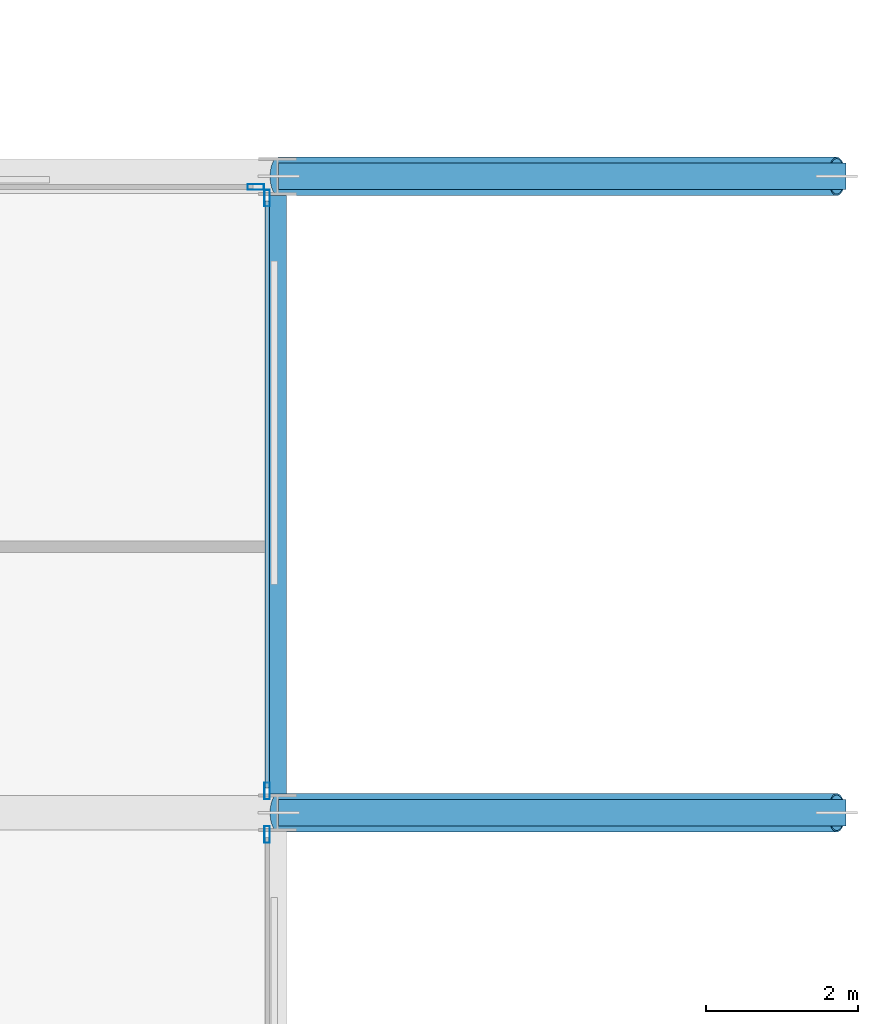
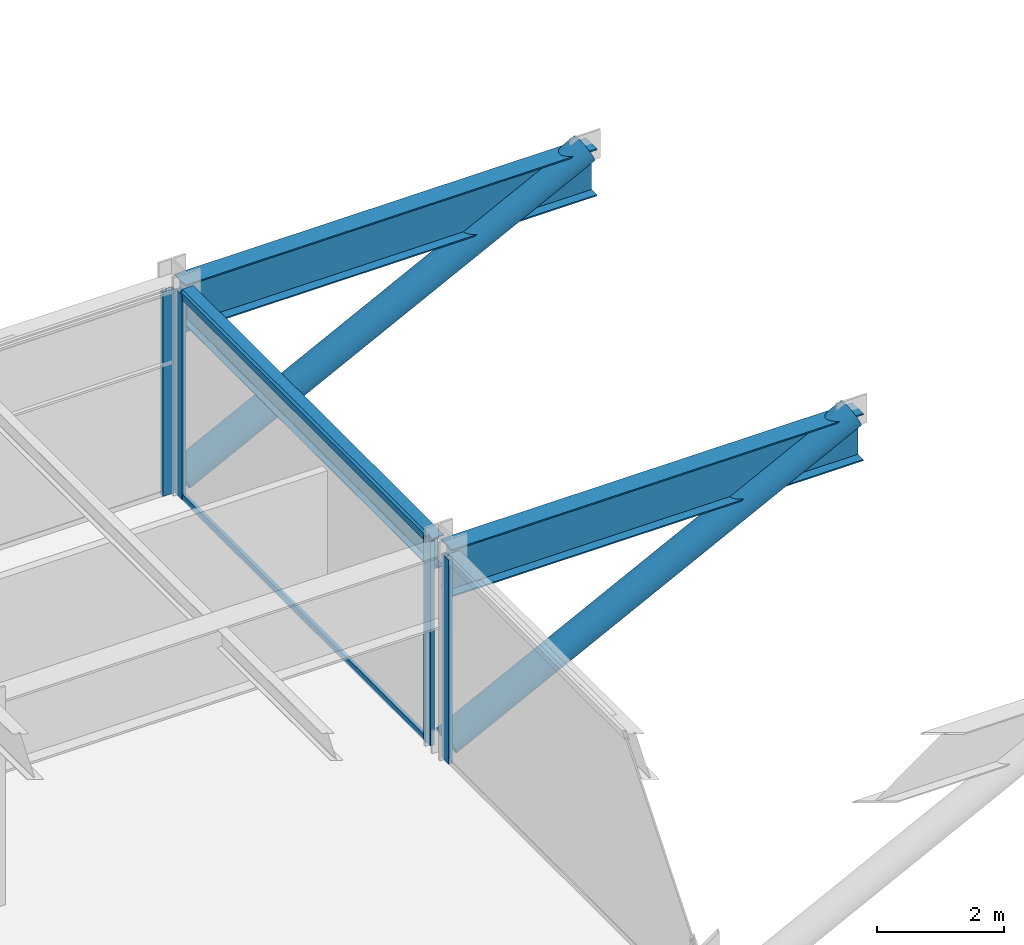
# One storey, part 13 of 25: 8 members, 3 beams, 3 elements without a shape of their own.
"""IFC4 building model written with IfcOpenShell, lengths in metres."""

import ifcopenshell
import ifcopenshell.guid

model = None  # the IFC model being written
_history = None  # IfcOwnerHistory: only IFC2X3 demands one
_inside = {}  # id of a spatial element -> (the spatial element, [elements in it])
_under = {}  # id of a project, library or spatial element -> (it, [spatial elements below it])
_declared = {}  # id of a project -> (the project, [libraries it declares])
_typed = {}  # id of a type object -> (the type object, [elements of that type])
_made_of = {}  # id of a material, layer set ... -> (it, [elements and type objects made of it])


def new_model(schema):
    """Start an empty IFC model of exactly this schema.

    Asked for "IFC4X3", IfcOpenShell would pick the latest addendum, in which some entities
    have other attributes; the version numbers below select the first issue.
    IFC2X3 requires an IfcOwnerHistory on every rooted entity: one is made here for all.
    """
    global model, _history
    if schema == "IFC4X3":
        model = ifcopenshell.file(schema_version=(4, 3, 0, 0))
    else:
        model = ifcopenshell.file(schema=schema)
    _inside.clear()
    _under.clear()
    _declared.clear()
    _typed.clear()
    _made_of.clear()
    _history = None
    if model.schema == "IFC2X3":
        org = make("IfcOrganization", Name="unknown")
        user = make(
            "IfcPersonAndOrganization",
            ThePerson=make("IfcPerson", FamilyName="unknown"),
            TheOrganization=org,
        )
        app = make(
            "IfcApplication",
            ApplicationDeveloper=org,
            Version="unknown",
            ApplicationFullName="unknown",
            ApplicationIdentifier="unknown",
        )
        _history = make(
            "IfcOwnerHistory",
            OwningUser=user,
            OwningApplication=app,
            ChangeAction="ADDED",
            CreationDate=0,
        )
    return model


def make(cls, **values):
    """One entity of the class cls with the attributes given. An attribute that is None is left unset."""
    return model.create_entity(
        cls, **{name: value for name, value in values.items() if value is not None}
    )


def rooted(cls, **values):
    """An entity with a GlobalId (a new one), such as an element, a storey or a relation."""
    return make(cls, GlobalId=ifcopenshell.guid.new(), OwnerHistory=_history, **values)


def si_unit(unit_type, name, prefix=None):
    """IfcSIUnit, for example si_unit("LENGTHUNIT", "METRE", prefix="MILLI")."""
    return make("IfcSIUnit", UnitType=unit_type, Prefix=prefix, Name=name)


def assignment(units):
    """IfcUnitAssignment: the units of a project."""
    return None if units is None else make("IfcUnitAssignment", Units=units)


def point(xyz):
    """IfcCartesianPoint."""
    return None if xyz is None else make("IfcCartesianPoint", Coordinates=xyz)


def direction(xyz):
    """IfcDirection."""
    return None if xyz is None else make("IfcDirection", DirectionRatios=xyz)


def frame(location, z_axis=None, x_axis=None):
    """IfcAxis2Placement3D, a coordinate frame: its origin and axes. An axis left out is left unset."""
    return make(
        "IfcAxis2Placement3D",
        Location=point(location),
        Axis=direction(z_axis),
        RefDirection=direction(x_axis),
    )


def frame_2d(location, x_axis=None):
    """IfcAxis2Placement2D, a coordinate frame in the plane: its origin and x axis."""
    return make(
        "IfcAxis2Placement2D", Location=point(location), RefDirection=direction(x_axis)
    )


def origin():
    """The frame at (0, 0, 0) with its axes left unset."""
    return frame((0.0, 0.0, 0.0))


def origin_2d():
    """The frame at (0, 0) in the plane with its x axis left unset."""
    return frame_2d((0.0, 0.0))


def place(relative_to, where):
    """IfcLocalPlacement: puts the frame where relative to a parent placement (None: the world)."""
    return make(
        "IfcLocalPlacement", PlacementRelTo=relative_to, RelativePlacement=where
    )


def context(
    kind, dimensions, precision=None, world=None, true_north=None, identifier=None
):
    """IfcGeometricRepresentationContext, for example the 3D "Model" context."""
    return make(
        "IfcGeometricRepresentationContext",
        ContextIdentifier=identifier,
        ContextType=kind,
        CoordinateSpaceDimension=dimensions,
        Precision=precision,
        WorldCoordinateSystem=world,
        TrueNorth=true_north,
    )


def subcontext(parent, identifier, kind, view, scale=None):
    """IfcGeometricRepresentationSubContext, for example "Body" below "Model"."""
    return make(
        "IfcGeometricRepresentationSubContext",
        ContextIdentifier=identifier,
        ContextType=kind,
        ParentContext=parent,
        TargetScale=scale,
        TargetView=view,
    )


def project(units=None, contexts=None):
    """IfcProject with its units and contexts."""
    return rooted(
        "IfcProject",
        Name="project",
        RepresentationContexts=contexts,
        UnitsInContext=assignment(units),
    )


def spatial(cls, under=None, at=None, **own):
    """A site, building, storey or space (cls), placed at a placement, below another one or the project."""
    s = rooted(cls, ObjectPlacement=at, **own)
    if under is not None:
        _under.setdefault(under.id(), (under, []))[1].append(s)
    return s


def profile(cls, at=None, kind="AREA", **sizes):
    """A parametric profile (cls). Its sizes go by their IFC names, for example OverallWidth=200.0."""
    return make(cls, ProfileType=kind, Position=at, **sizes)


def hollow_rectangle(**sizes):
    """IfcRectangleHollowProfileDef."""
    return profile("IfcRectangleHollowProfileDef", **sizes)


def hollow_circle(**sizes):
    """IfcCircleHollowProfileDef."""
    return profile("IfcCircleHollowProfileDef", **sizes)


def i_section(**sizes):
    """IfcIShapeProfileDef."""
    return profile("IfcIShapeProfileDef", **sizes)


def extrude(swept, where, along, depth):
    """IfcExtrudedAreaSolid: the profile swept, set in the frame where, extruded along a direction by depth."""
    return make(
        "IfcExtrudedAreaSolid",
        SweptArea=swept,
        Position=where,
        ExtrudedDirection=direction(along),
        Depth=depth,
    )


def shape(context_of_items, identifier, shape_type, items):
    """IfcShapeRepresentation: the items that make up one representation, for example the "Body"."""
    return make(
        "IfcShapeRepresentation",
        ContextOfItems=context_of_items,
        RepresentationIdentifier=identifier,
        RepresentationType=shape_type,
        Items=items,
    )


def material(Name=None, Category=None):
    """IfcMaterial."""
    return make("IfcMaterial", Name=Name, Category=Category)


def layer(
    of_material, thickness, ventilated=None, Name=None, Category=None, Priority=None
):
    """IfcMaterialLayer: one layer of a wall or slab, of a material (None: an air gap)."""
    return make(
        "IfcMaterialLayer",
        Material=of_material,
        LayerThickness=thickness,
        IsVentilated=ventilated,
        Name=Name,
        Category=Category,
        Priority=Priority,
    )


def layer_set(layers, Name=None):
    """IfcMaterialLayerSet."""
    return make("IfcMaterialLayerSet", MaterialLayers=layers, LayerSetName=Name)


def material_profile(
    of_material, cross_section, Name=None, Category=None, Priority=None
):
    """IfcMaterialProfile: a cross section and its material."""
    return make(
        "IfcMaterialProfile",
        Name=Name,
        Material=of_material,
        Profile=cross_section,
        Priority=Priority,
        Category=Category,
    )


def profile_set(profiles, Name=None, composite=None):
    """IfcMaterialProfileSet."""
    return make(
        "IfcMaterialProfileSet",
        Name=Name,
        MaterialProfiles=profiles,
        CompositeProfile=composite,
    )


def made_of(thing, what):
    """Note that an element or type object is made of a material, layer set ...; save() writes the relation."""
    if what is not None:
        _made_of.setdefault(what.id(), (what, []))[1].append(thing)
    return thing


def type_object(cls, material=None, **own):
    """A type object (cls), such as IfcWallType, which elements share."""
    return made_of(rooted(cls, **own), material)


def element(
    cls,
    number,
    at=None,
    inside=None,
    cuts=None,
    type_object=None,
    material=None,
    context=None,
    identifier="Body",
    shape_type=None,
    held_by="IfcProductDefinitionShape",
    body=None,
    shapes=None,
    **own,
):
    """One element of the class cls, such as IfcWall. Its Tag is "e" and its number.

    at: its placement. inside: the storey or other place that contains it. cuts: it is an
    opening in that element (IfcRelVoidsElement). A single representation is given by context,
    identifier, shape_type and body (its items); several are given by shapes. held_by: the class
    of the entity that holds the representations. save() writes the other relations.
    """
    e = rooted(cls, Tag="e%d" % number, ObjectPlacement=at, **own)
    if body is not None:
        shapes = [shape(context, identifier, shape_type, body)]
    if shapes is not None:
        e.Representation = make(held_by, Representations=shapes)
    if inside is not None:
        _inside.setdefault(inside.id(), (inside, []))[1].append(e)
    if cuts is not None:
        rooted(
            "IfcRelVoidsElement", RelatingBuildingElement=cuts, RelatedOpeningElement=e
        )
    if type_object is not None:
        _typed.setdefault(type_object.id(), (type_object, []))[1].append(e)
    return made_of(e, material)


def aggregate(whole, parts):
    """IfcRelAggregates: a whole, such as a stair, and the parts it consists of."""
    return rooted("IfcRelAggregates", RelatingObject=whole, RelatedObjects=parts)


def save(model, path):
    """Write the relations noted so far, then the file.

    IfcRelAggregates (storeys below a building ...), IfcRelContainedInSpatialStructure (elements
    in a storey), IfcRelDefinesByType, IfcRelAssociatesMaterial and IfcRelDeclares: one each for
    every whole, place, type object, material and project.
    """
    for whole, parts in _under.values():
        aggregate(whole, parts)
    for where, things in _inside.values():
        rooted(
            "IfcRelContainedInSpatialStructure",
            RelatedElements=things,
            RelatingStructure=where,
        )
    for kind, things in _typed.values():
        rooted("IfcRelDefinesByType", RelatedObjects=things, RelatingType=kind)
    for what, things in _made_of.values():
        rooted("IfcRelAssociatesMaterial", RelatedObjects=things, RelatingMaterial=what)
    for by, libraries in _declared.values():
        rooted("IfcRelDeclares", RelatingContext=by, RelatedDefinitions=libraries)
    model.write(path)


model = new_model("IFC4")

# Units and contexts
model_context = context("Model", 3, precision=1e-05, world=origin(), true_north=direction((0.0, 1.0)))
body_context = subcontext(model_context, "Body", "Model", "MODEL_VIEW")
ifc_project = project(units=[si_unit("LENGTHUNIT", "METRE"), si_unit("AREAUNIT", "SQUARE_METRE"), si_unit("VOLUMEUNIT", "CUBIC_METRE"), si_unit("PLANEANGLEUNIT", "RADIAN"), si_unit("MASSUNIT", "GRAM", prefix="KILO")], contexts=[model_context])

# Site, building, storey
site_placement = place(None, origin())
site = spatial("IfcSite", under=ifc_project, at=site_placement, CompositionType="ELEMENT")
building_placement = place(site_placement, origin())
building = spatial("IfcBuilding", under=site, at=building_placement, Name="Nerrivon Quay Data Exchange", CompositionType="ELEMENT")
storey_placement = place(building_placement, frame((0.0, 0.0, 58.39990234375)))
storey = spatial("IfcBuildingStorey", under=building, at=storey_placement, Name="L13", CompositionType="ELEMENT", Elevation=58.39990234375)

# Beams
ifc_material_1 = material(Name="Steel Grade 350", Category="steel")
ifc_material_profile_1 = material_profile(ifc_material_1, i_section(OverallWidth=0.35009765625, OverallDepth=0.909912109375, WebThickness=0.011962890625, FlangeThickness=0.02490234375, at=origin_2d()), Name="900WB218")
ifc_profile_set_1 = profile_set([ifc_material_profile_1], Name="Steel Grade 350")
beam_type_1 = type_object("IfcBeamType", Name="BM-CANT-900WB", PredefinedType="USERDEFINED", material=ifc_profile_set_1)
for number, where, z_axis, x_axis, name in (
    (1, (50.4140625, 16.800048828125, 3.47021484375), (1.0, 0.0, 0.0), (0.0, 1.0, 0.0), "L13 East Hooked Base Cantilever Girder Y=16.8"),
    (2, (50.4140625, 25.199951171875, 3.47021484375), (1.0, 0.0, 0.0), (0.0, 1.0, 0.0), "L13 East Hooked Base Cantilever Girder Y=25.2"),
):
    element("IfcBeam", number, at=place(storey_placement, frame(where, z_axis=z_axis, x_axis=x_axis)), inside=storey, type_object=beam_type_1, Name=name, ObjectType="TRANSFER", PredefinedType="USERDEFINED", context=body_context, shape_type="SweptSolid", body=[
        extrude(i_section(OverallWidth=0.35009765625, OverallDepth=0.909912109375, WebThickness=0.011962890625, FlangeThickness=0.02490234375, at=origin_2d()), origin(), (0.0, 0.0, 1.0), 7.48583984375),
    ])
ifc_material_profile_2 = material_profile(ifc_material_1, i_section(OverallWidth=0.22802734375, OverallDepth=0.60205078125, WebThickness=0.010498046875, FlangeThickness=0.014892578125, FilletRadius=0.013916015625, at=origin_2d()), Name="610UB101")
ifc_profile_set_2 = profile_set([ifc_material_profile_2], Name="Steel Grade 350")
beam_type_2 = type_object("IfcBeamType", Name="BM-G2-610UB101", PredefinedType="BEAM", material=ifc_profile_set_2)
beam_placement = place(storey_placement, frame((50.39990234375, 17.050048828125, 3.6240234375), z_axis=(0.0, 1.0, 0.0), x_axis=(-1.0, 0.0, 0.0)))
element("IfcBeam", 3, at=beam_placement, inside=storey, type_object=beam_type_2, Name="L13 NS Girder X=50.4 (16.8..25.2)", PredefinedType="BEAM", context=body_context, shape_type="SweptSolid", body=[
    extrude(i_section(OverallWidth=0.22802734375, OverallDepth=0.60205078125, WebThickness=0.010498046875, FlangeThickness=0.014892578125, FilletRadius=0.013916015625, at=origin_2d()), origin(), (0.0, 0.0, 1.0), 7.89990234375),
])

# Curtain wall, member
ifc_material_2 = material(Name="Anodised aluminium 6063-T6", Category="aluminium")
ifc_layer = layer(ifc_material_2, 0.219970703125)
ifc_layer_set = layer_set([ifc_layer], Name="Anodised aluminium 6063-T6")
curtain_wall_type = type_object("IfcCurtainWallType", Name="CW-SYS-01", PredefinedType="NOTDEFINED", material=ifc_layer_set)
curtain_wall_1_placement = place(storey_placement, origin())
curtain_wall_1 = element("IfcCurtainWall", 4, at=curtain_wall_1_placement, inside=storey, type_object=curtain_wall_type, Name="L13 Unitised Curtain Wall 30", PredefinedType="NOTDEFINED")
ifc_material_profile_3 = material_profile(ifc_material_2, hollow_rectangle(XDim=0.074951171875, YDim=0.219970703125, WallThickness=0.00390625, at=origin_2d()), Name="ALU-MULL-220x75")
ifc_profile_set_3 = profile_set([ifc_material_profile_3], Name="Anodised aluminium 6063-T6")
member_type_1 = type_object("IfcMemberType", Name="CWM-220x75", PredefinedType="MULLION", material=ifc_profile_set_3)
member_1_placement = place(storey_placement, frame((50.112548828125, 25.06005859375, 0.0), z_axis=(0.0, 0.0, 1.0), x_axis=(0.0, 1.0, 0.0)))
member_1 = element("IfcMember", 5, at=member_1_placement, type_object=member_type_1, Name="CW01 mullion 2", PredefinedType="MULLION", context=body_context, shape_type="SweptSolid", body=[
    extrude(hollow_rectangle(XDim=0.074951171875, YDim=0.219970703125, WallThickness=0.00390625, at=origin_2d()), origin(), (0.0, 0.0, 1.0), 3.925048828125),
])
aggregate(curtain_wall_1, [member_1])

# Curtain wall, members
curtain_wall_2_placement = place(storey_placement, origin())
curtain_wall_2 = element("IfcCurtainWall", 6, at=curtain_wall_2_placement, inside=storey, type_object=curtain_wall_type, Name="L13 Unitised Curtain Wall 31", PredefinedType="NOTDEFINED")
member_2_placement = place(storey_placement, frame((50.260009765625, 24.91259765625, 0.0), z_axis=(0.0, 0.0, 1.0), x_axis=(1.0, 0.0, 0.0)))
member_2 = element("IfcMember", 7, at=member_2_placement, type_object=member_type_1, Name="CW01 mullion 1", PredefinedType="MULLION", context=body_context, shape_type="SweptSolid", body=[
    extrude(hollow_rectangle(XDim=0.074951171875, YDim=0.219970703125, WallThickness=0.00390625, at=origin_2d()), origin(), (0.0, 0.0, 1.0), 3.925048828125),
])
member_3_placement = place(storey_placement, frame((50.260009765625, 17.08740234375, 0.0), z_axis=(0.0, 0.0, 1.0), x_axis=(1.0, 0.0, 0.0)))
member_3 = element("IfcMember", 8, at=member_3_placement, type_object=member_type_1, Name="CW01 mullion 2", PredefinedType="MULLION", context=body_context, shape_type="SweptSolid", body=[
    extrude(hollow_rectangle(XDim=0.074951171875, YDim=0.219970703125, WallThickness=0.00390625, at=origin_2d()), origin(), (0.0, 0.0, 1.0), 3.925048828125),
])

# Curtain wall, member
curtain_wall_3_placement = place(storey_placement, origin())
curtain_wall_3 = element("IfcCurtainWall", 9, at=curtain_wall_3_placement, inside=storey, type_object=curtain_wall_type, Name="L13 Unitised Curtain Wall 32", PredefinedType="NOTDEFINED")
member_4_placement = place(storey_placement, frame((50.260009765625, 16.512451171875, 0.0), z_axis=(0.0, 0.0, 1.0), x_axis=(1.0, 0.0, 0.0)))
member_4 = element("IfcMember", 10, at=member_4_placement, type_object=member_type_1, Name="CW01 mullion 1", PredefinedType="MULLION", context=body_context, shape_type="SweptSolid", body=[
    extrude(hollow_rectangle(XDim=0.074951171875, YDim=0.219970703125, WallThickness=0.00390625, at=origin_2d()), origin(), (0.0, 0.0, 1.0), 3.925048828125),
])
aggregate(curtain_wall_3, [member_4])

# Member
ifc_material_profile_4 = material_profile(ifc_material_2, hollow_rectangle(XDim=0.06005859375, YDim=0.1201171875, WallThickness=0.003173828125, at=origin_2d()), Name="ALU-TRAN-120x60")
ifc_profile_set_4 = profile_set([ifc_material_profile_4], Name="Anodised aluminium 6063-T6")
member_type_2 = type_object("IfcMemberType", Name="CWT-120x60", PredefinedType="USERDEFINED", material=ifc_profile_set_4)
member_5_placement = place(storey_placement, frame((50.260009765625, 24.875, 0.03271484375), z_axis=(0.0, -1.0, 0.0), x_axis=(1.0, 0.0, 0.0)))
member_5 = element("IfcMember", 11, at=member_5_placement, type_object=member_type_2, Name="CW01 transom 1.1", ObjectType="TRANSOM", PredefinedType="USERDEFINED", context=body_context, shape_type="SweptSolid", body=[
    extrude(hollow_rectangle(XDim=0.06005859375, YDim=0.1201171875, WallThickness=0.003173828125, at=origin_2d()), origin(), (0.0, 0.0, 1.0), 7.75),
])

member_6_placement = place(storey_placement, frame((50.260009765625, 24.875, 3.892578125), z_axis=(0.0, -1.0, 0.0), x_axis=(1.0, 0.0, 0.0)))
member_6 = element("IfcMember", 12, at=member_6_placement, type_object=member_type_2, Name="CW01 transom 1.2", ObjectType="TRANSOM", PredefinedType="USERDEFINED", context=body_context, shape_type="SweptSolid", body=[
    extrude(hollow_rectangle(XDim=0.06005859375, YDim=0.1201171875, WallThickness=0.003173828125, at=origin_2d()), origin(), (0.0, 0.0, 1.0), 7.75),
])

aggregate(curtain_wall_2, [member_2, member_3, member_5, member_6])

# Members
ifc_material_3 = material(Name="Steel Grade C350L0 (350 MPa)", Category="steel")
ifc_material_profile_5 = material_profile(ifc_material_3, hollow_circle(Radius=0.25390625, WallThickness=0.02001953125, at=origin_2d()), Name="508.0x20.0CHS")
ifc_profile_set_5 = profile_set([ifc_material_profile_5], Name="Steel Grade C350L0 (350 MPa)")
member_type_3 = type_object("IfcMemberType", Name="MEM-OB2-508CHS", PredefinedType="BRACE", material=ifc_profile_set_5)
for number, where, z_axis, x_axis, name in (
    (13, (50.4140625, 16.800048828125, 0.150146484375), (0.892388954537, 0.0, 0.451267053772), (0.0, 1.0, 0.0), "L13 structural brace BR-L13-EHOOK-168"),
    (14, (50.4140625, 25.199951171875, 0.150146484375), (0.892388954537, 0.0, 0.451267053772), (0.0, 1.0, 0.0), "L13 structural brace BR-L13-EHOOK-252"),
):
    element("IfcMember", number, at=place(storey_placement, frame(where, z_axis=z_axis, x_axis=x_axis)), inside=storey, type_object=member_type_3, Name=name, PredefinedType="BRACE", context=body_context, shape_type="SweptSolid", body=[
        extrude(hollow_circle(Radius=0.25390625, WallThickness=0.02001953125, at=origin_2d()), origin(), (0.0, 0.0, 1.0), 8.254150390625),
    ])

save(model, "model.ifc")
